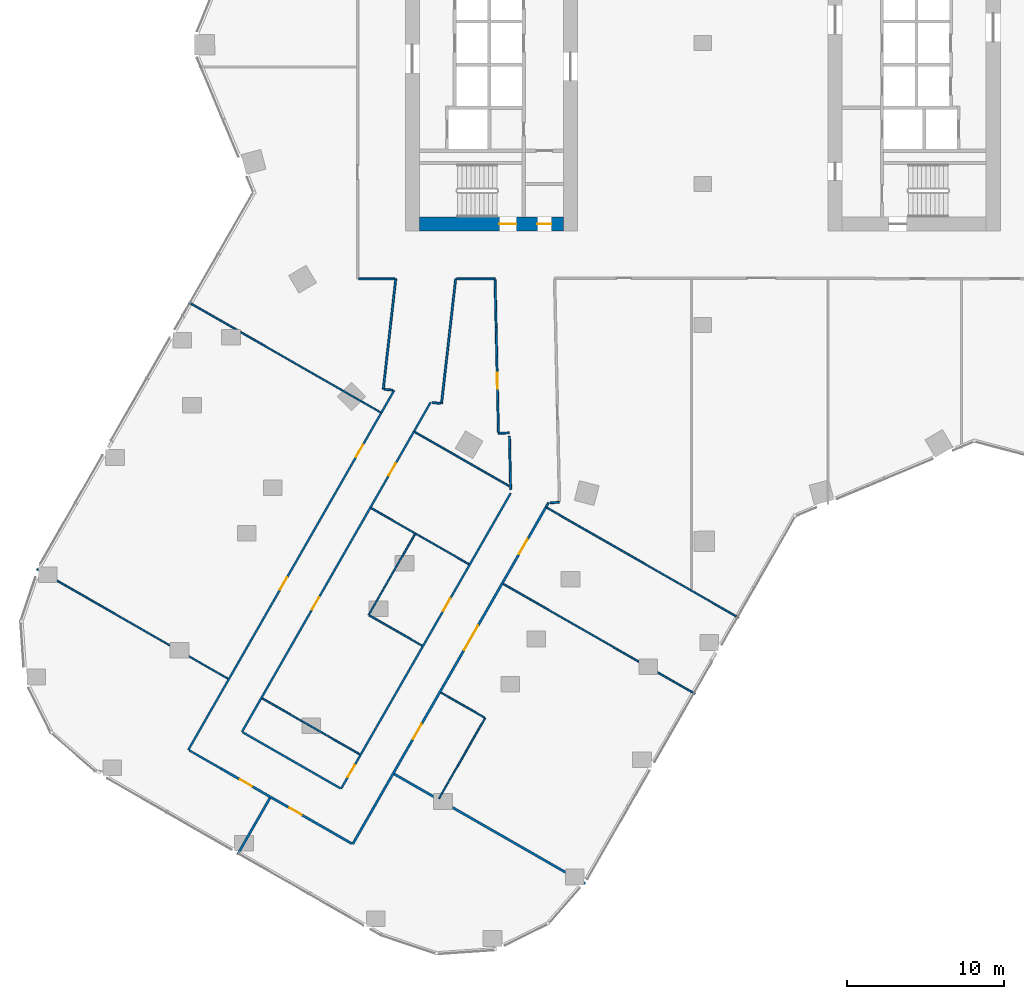
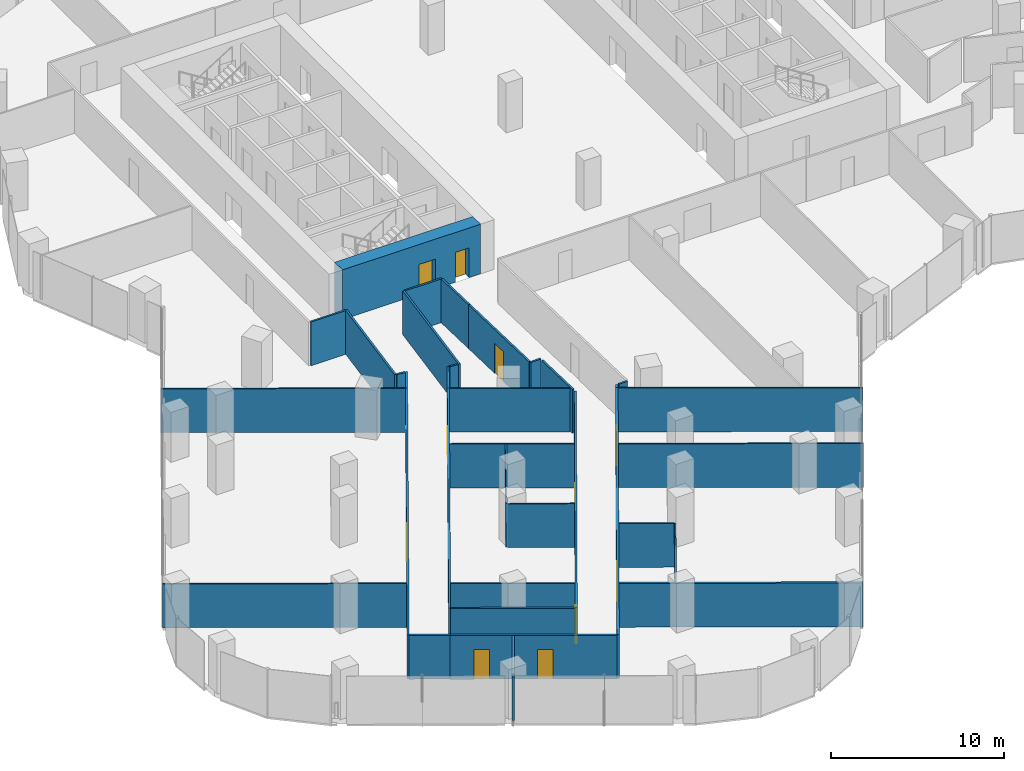
# One storey, part 26 of 34: 35 walls, 14 doors, 14 openings.
"""IFC4 building model written with IfcOpenShell, lengths in metres."""

from ifc_helpers import new_model, si_unit, direction, frame, frame_2d, origin, place, context, subcontext, project, spatial, rectangle, extrude, material, layer, layer_set, type_object, element, fill, save


model = new_model("IFC4")

# Units and contexts
model_context = context("Model", 3, precision=1e-05, world=origin(), true_north=direction((0.0, 1.0)))
body_context = subcontext(model_context, "Body", "Model", "MODEL_VIEW")
ifc_project = project(units=[si_unit("LENGTHUNIT", "METRE"), si_unit("AREAUNIT", "SQUARE_METRE"), si_unit("VOLUMEUNIT", "CUBIC_METRE"), si_unit("PLANEANGLEUNIT", "RADIAN"), si_unit("MASSUNIT", "GRAM", prefix="KILO")], contexts=[model_context])

# Site, building, storey
site_placement = place(None, origin())
site = spatial("IfcSite", under=ifc_project, at=site_placement, CompositionType="ELEMENT")
building_placement = place(site_placement, origin())
building = spatial("IfcBuilding", under=site, at=building_placement, Name="Orlundy Tower", CompositionType="ELEMENT")
storey_placement = place(building_placement, frame((0.0, 0.0, 105.699951171875)))
storey = spatial("IfcBuildingStorey", under=building, at=storey_placement, Name="L26", CompositionType="ELEMENT", Elevation=105.699951171875)

# Wall, openings, doors
ifc_material_1 = material(Name="Concrete C80/95", Category="concrete")
ifc_layer_1 = layer(ifc_material_1, 0.89990234375)
ifc_layer_set_1 = layer_set([ifc_layer_1], Name="CORE WALL 900 C80/95")
wall_type_1 = type_object("IfcWallType", Name="CORE WALL 900 C80/95", PredefinedType="SHEAR", material=ifc_layer_set_1)
wall_1_placement = place(storey_placement, frame((-18.10009765625, -11.550048828125, 0.0), z_axis=(0.0, 0.0, 1.0), x_axis=(1.0, 0.0, 0.0)))
wall_1 = element("IfcWall", 1, at=wall_1_placement, inside=storey, type_object=wall_type_1, Name="Core wall W-S L26", PredefinedType="SHEAR", context=body_context, shape_type="SweptSolid", body=[
    extrude(rectangle(XDim=9.2001953125, YDim=0.89990234375, at=frame_2d((4.60009765625, 0.0))), origin(), (0.0, 0.0, 1.0), 3.5),
])
opening_1_placement = place(wall_1_placement, frame((5.10009765625, 0.0, 0.0)))
opening_1 = element("IfcOpeningElement", 2, at=opening_1_placement, cuts=wall_1, Name="Opening 21013", PredefinedType="OPENING", context=body_context, shape_type="SweptSolid", body=[
    extrude(rectangle(XDim=1.10009765625, YDim=2.10009765625, at=frame_2d((0.550048828125, 1.050048828125))), frame((0.0, 0.4599609375, 0.0), z_axis=(0.0, -1.0, 0.0), x_axis=(1.0, 0.0, 0.0)), (0.0, 0.0, 1.0), 0.919921875),
])
opening_2_placement = place(wall_1_placement, frame((7.530029296875, 0.0, 0.0)))
opening_2 = element("IfcOpeningElement", 3, at=opening_2_placement, cuts=wall_1, Name="Opening 21015", PredefinedType="OPENING", context=body_context, shape_type="SweptSolid", body=[
    extrude(rectangle(XDim=0.89990234375, YDim=2.10009765625, at=frame_2d((0.449951171875, 1.050048828125))), frame((0.0, 0.4599609375, 0.0), z_axis=(0.0, -1.0, 0.0), x_axis=(1.0, 0.0, 0.0)), (0.0, 0.0, 1.0), 0.919921875),
])
ifc_material_2 = material(Name="Timber door set", Category="wood")
door_type_1 = type_object("IfcDoorType", Name="Room Door 900x2100", OperationType="SINGLE_SWING_LEFT", PredefinedType="DOOR", material=ifc_material_2)
door_1_placement = place(opening_2_placement, origin())
door_1 = element("IfcDoor", 4, at=door_1_placement, inside=storey, type_object=door_type_1, Name="Store door 21015", OperationType="SINGLE_SWING_RIGHT", OverallHeight=2.10009765625, OverallWidth=0.89990234375, PredefinedType="DOOR", context=body_context, shape_type="SweptSolid", body=[
    extrude(rectangle(XDim=0.89990234375, YDim=2.10009765625, at=frame_2d((0.449951171875, 1.050048828125))), frame((0.0, 0.02490234375, 0.0), z_axis=(0.0, -1.0, 0.0), x_axis=(1.0, 0.0, 0.0)), (0.0, 0.0, 1.0), 0.050048828125),
])
fill(opening_2, door_1)
ifc_material_3 = material(Name="Steel door set", Category="steel")
door_type_2 = type_object("IfcDoorType", Name="Stair Door 1100x2100", OperationType="SINGLE_SWING_LEFT", PredefinedType="DOOR", material=ifc_material_3)
door_2_placement = place(opening_1_placement, origin())
door_2 = element("IfcDoor", 5, at=door_2_placement, inside=storey, type_object=door_type_2, Name="Stair door 21013", OperationType="SINGLE_SWING_RIGHT", OverallHeight=2.10009765625, OverallWidth=1.10009765625, PredefinedType="DOOR", context=body_context, shape_type="SweptSolid", body=[
    extrude(rectangle(XDim=1.10009765625, YDim=2.10009765625, at=frame_2d((0.550048828125, 1.050048828125))), frame((0.0, 0.02490234375, 0.0), z_axis=(0.0, -1.0, 0.0), x_axis=(1.0, 0.0, 0.0)), (0.0, 0.0, 1.0), 0.050048828125),
])
fill(opening_1, door_2)

# Walls
ifc_material_4 = material(Name="Gypsum board partition")
ifc_layer_2 = layer(ifc_material_4, 0.10009765625)
ifc_layer_set_2 = layer_set([ifc_layer_2], Name="Floor partition 100")
wall_type_2 = type_object("IfcWallType", Name="Floor partition 100", PredefinedType="PARTITIONING", material=ifc_layer_set_2)
wall_2_placement = place(storey_placement, frame((-42.5419921875, -33.5869140625, 0.0), z_axis=(0.0, 0.0, 1.0), x_axis=(0.867466270896, -0.497495998835, 0.0)))
element("IfcWall", 6, at=wall_2_placement, inside=storey, type_object=wall_type_2, Name="wall-int-L26-009", PredefinedType="PARTITIONING", context=body_context, shape_type="SweptSolid", body=[
    extrude(rectangle(XDim=14.078857421875, YDim=0.10009765625, at=frame_2d((7.03955078125, 0.0))), origin(), (0.0, 0.0, 1.0), 3.080078125),
])
wall_3_placement = place(storey_placement, frame((-28.137939453125, -41.847900390625, 0.0), z_axis=(0.0, 0.0, 1.0), x_axis=(0.867478179125, -0.4974752343, 0.0)))
element("IfcWall", 7, at=wall_3_placement, inside=storey, type_object=wall_type_2, Name="wall-int-L26-010", PredefinedType="PARTITIONING", context=body_context, shape_type="SweptSolid", body=[
    extrude(rectangle(XDim=7.17822265625, YDim=0.10009765625, at=frame_2d((3.589111328125, 0.0))), origin(), (0.0, 0.0, 1.0), 3.080078125),
])
wall_4_placement = place(storey_placement, frame((-16.72412109375, -41.47607421875, 0.0), z_axis=(0.0, 0.0, 1.0), x_axis=(0.867553640943, -0.497343623752, 0.0)))
element("IfcWall", 8, at=wall_4_placement, inside=storey, type_object=wall_type_2, Name="wall-int-L26-012", PredefinedType="PARTITIONING", context=body_context, shape_type="SweptSolid", body=[
    extrude(rectangle(XDim=3.20703125, YDim=0.10009765625, at=frame_2d((1.603515625, 0.0))), origin(), (0.0, 0.0, 1.0), 3.080078125),
])
wall_5_placement = place(storey_placement, frame((-21.302001953125, -36.5458984375, 0.0), z_axis=(0.0, 0.0, 1.0), x_axis=(0.867492112241, -0.49745093748, 0.0)))
element("IfcWall", 9, at=wall_5_placement, inside=storey, type_object=wall_type_2, Name="wall-int-L26-013", PredefinedType="PARTITIONING", context=body_context, shape_type="SweptSolid", body=[
    extrude(rectangle(XDim=3.885986328125, YDim=0.10009765625, at=frame_2d((1.94287109375, 0.0))), origin(), (0.0, 0.0, 1.0), 3.080078125),
])
wall_6_placement = place(storey_placement, frame((-21.180908203125, -29.698974609375, 0.0), z_axis=(0.0, 0.0, 1.0), x_axis=(0.867554846835, -0.497341520219, 0.0)))
element("IfcWall", 10, at=wall_6_placement, inside=storey, type_object=wall_type_2, Name="wall-int-L26-014", PredefinedType="PARTITIONING", context=body_context, shape_type="SweptSolid", body=[
    extrude(rectangle(XDim=7.190185546875, YDim=0.10009765625, at=frame_2d((3.59521484375, 0.0))), origin(), (0.0, 0.0, 1.0), 3.080078125),
])
wall_7_placement = place(storey_placement, frame((-12.7451171875, -34.535888671875, 0.0), z_axis=(0.0, 0.0, 1.0), x_axis=(0.867470957273, -0.497487827277, 0.0)))
element("IfcWall", 11, at=wall_7_placement, inside=storey, type_object=wall_type_2, Name="wall-int-L26-015", PredefinedType="PARTITIONING", context=body_context, shape_type="SweptSolid", body=[
    extrude(rectangle(XDim=14.125244140625, YDim=0.10009765625, at=frame_2d((7.0625, 0.0))), origin(), (0.0, 0.0, 1.0), 3.080078125),
])
wall_8_placement = place(storey_placement, frame((-32.8359375, -16.552001953125, 0.0), z_axis=(0.0, 0.0, 1.0), x_axis=(0.867495211783, -0.497445532229, 0.0)))
element("IfcWall", 12, at=wall_8_placement, inside=storey, type_object=wall_type_2, Name="wall-int-L26-016", PredefinedType="PARTITIONING", context=body_context, shape_type="SweptSolid", body=[
    extrude(rectangle(XDim=14.119873046875, YDim=0.10009765625, at=frame_2d((7.06005859375, 0.0))), origin(), (0.0, 0.0, 1.0), 3.080078125),
])
wall_9_placement = place(storey_placement, frame((-18.39501953125, -24.8330078125, 0.0), z_axis=(0.0, 0.0, 1.0), x_axis=(0.86747241126, -0.497485291946, 0.0)))
element("IfcWall", 13, at=wall_9_placement, inside=storey, type_object=wall_type_2, Name="wall-int-L26-017", PredefinedType="PARTITIONING", context=body_context, shape_type="SweptSolid", body=[
    extrude(rectangle(XDim=6.948974609375, YDim=0.10009765625, at=frame_2d((3.474609375, 0.0))), origin(), (0.0, 0.0, 1.0), 3.080078125),
])
wall_10_placement = place(storey_placement, frame((-9.9560546875, -29.672119140625, 0.0), z_axis=(0.0, 0.0, 1.0), x_axis=(0.867495524847, -0.497444986276, 0.0)))
element("IfcWall", 14, at=wall_10_placement, inside=storey, type_object=wall_type_2, Name="wall-int-L26-018", PredefinedType="PARTITIONING", context=body_context, shape_type="SweptSolid", body=[
    extrude(rectangle(XDim=14.1259765625, YDim=0.10009765625, at=frame_2d((7.06298828125, 0.0))), origin(), (0.0, 0.0, 1.0), 3.080078125),
])
wall_11_placement = place(storey_placement, frame((-16.846923828125, -48.236083984375, 0.0), z_axis=(0.0, 0.0, 1.0), x_axis=(0.497509382409, 0.867458595217, 0.0)))
element("IfcWall", 15, at=wall_11_placement, inside=storey, type_object=wall_type_2, Name="wall-int-L26-048", PredefinedType="PARTITIONING", context=body_context, shape_type="SweptSolid", body=[
    extrude(rectangle(XDim=5.925537109375, YDim=0.10009765625, at=frame_2d((2.962890625, 0.0))), origin(), (0.0, 0.0, 1.0), 3.080078125),
])
wall_12_placement = place(storey_placement, frame((-21.344970703125, -36.52099609375, 0.0), z_axis=(0.0, 0.0, 1.0), x_axis=(0.497305055322, 0.867575749978, 0.0)))
element("IfcWall", 16, at=wall_12_placement, inside=storey, type_object=wall_type_2, Name="wall-int-L26-052", PredefinedType="PARTITIONING", context=body_context, shape_type="SweptSolid", body=[
    extrude(rectangle(XDim=5.949951171875, YDim=0.10009765625, at=frame_2d((2.97509765625, 0.0))), origin(), (0.0, 0.0, 1.0), 3.080078125),
])
ifc_material_5 = material(Name="Gypsum board partition, double layer")
ifc_layer_3 = layer(ifc_material_5, 0.125)
ifc_layer_set_3 = layer_set([ifc_layer_3], Name="Floor partition 125")
wall_type_3 = type_object("IfcWallType", Name="Floor partition 125", PredefinedType="PARTITIONING", material=ifc_layer_set_3)
wall_13_placement = place(storey_placement, frame((-13.26806640625, -15.113037109375, 0.0), z_axis=(0.0, 0.0, 1.0), x_axis=(0.02185314429, -0.999761191528, 0.0)))
element("IfcWall", 17, at=wall_13_placement, inside=storey, type_object=wall_type_3, Name="wall-int-L26-001", PredefinedType="PARTITIONING", context=body_context, shape_type="SweptSolid", body=[
    extrude(rectangle(XDim=3.027587890625, YDim=0.125, at=frame_2d((1.513671875, 0.0))), origin(), (0.0, 0.0, 1.0), 3.080078125),
])

# Wall, opening, door
wall_14_placement = place(storey_placement, frame((-13.053955078125, -24.846923828125, 0.0), z_axis=(0.0, 0.0, 1.0), x_axis=(-0.022053458667, 0.999756792906, 0.0)))
wall_14 = element("IfcWall", 18, at=wall_14_placement, inside=storey, type_object=wall_type_3, Name="wall-int-L26-002", PredefinedType="PARTITIONING", context=body_context, shape_type="SweptSolid", body=[
    extrude(rectangle(XDim=6.708740234375, YDim=0.125, at=frame_2d((3.3544921875, 0.0))), origin(), (0.0, 0.0, 1.0), 3.080078125),
])
opening_3_placement = place(wall_14_placement, frame((2.78759765625, 0.0, 0.0)))
opening_3 = element("IfcOpeningElement", 19, at=opening_3_placement, cuts=wall_14, Name="Opening 21120", PredefinedType="OPENING", context=body_context, shape_type="SweptSolid", body=[
    extrude(rectangle(XDim=1.0, YDim=2.10009765625, at=frame_2d((0.5, 1.050048828125))), frame((0.0, 0.072509765625, 0.0), z_axis=(0.0, -1.0, 0.0), x_axis=(1.0, 0.0, 0.0)), (0.0, 0.0, 1.0), 0.14501953125),
])
ifc_material_6 = material(Name="Timber door leaf", Category="wood")
door_type_3 = type_object("IfcDoorType", Name="Floor door wide 1000 FD30S", OperationType="NOTDEFINED", PredefinedType="DOOR", material=ifc_material_6)
door_3_placement = place(opening_3_placement, origin())
door_3 = element("IfcDoor", 20, at=door_3_placement, inside=storey, type_object=door_type_3, Name="Door 21120", OperationType="SINGLE_SWING_LEFT", OverallHeight=2.10009765625, OverallWidth=1.0, PredefinedType="DOOR", context=body_context, shape_type="SweptSolid", body=[
    extrude(rectangle(XDim=1.0, YDim=2.10009765625, at=frame_2d((0.5, 1.050048828125))), frame((0.0, 0.02490234375, 0.0), z_axis=(0.0, -1.0, 0.0), x_axis=(1.0, 0.0, 0.0)), (0.0, 0.0, 1.0), 0.050048828125),
])
fill(opening_3, door_3)

# Walls
wall_15_placement = place(storey_placement, frame((-12.27392578125, -28.507080078125, 0.0), z_axis=(0.0, 0.0, 1.0), x_axis=(-0.022051353947, 0.999756839331, 0.0)))
element("IfcWall", 21, at=wall_15_placement, inside=storey, type_object=wall_type_3, Name="wall-int-L26-003", PredefinedType="PARTITIONING", context=body_context, shape_type="SweptSolid", body=[
    extrude(rectangle(XDim=3.409912109375, YDim=0.125, at=frame_2d((1.705078125, 0.0))), origin(), (0.0, 0.0, 1.0), 3.080078125),
])
wall_16_placement = place(storey_placement, frame((-32.804931640625, -45.1669921875, 0.0), z_axis=(0.0, 0.0, 1.0), x_axis=(0.867850650995, -0.496825168009, 0.0)))
element("IfcWall", 22, at=wall_16_placement, inside=storey, type_object=wall_type_3, Name="wall-int-L26-006", PredefinedType="PARTITIONING", context=body_context, shape_type="SweptSolid", body=[
    extrude(rectangle(XDim=2.336669921875, YDim=0.125, at=frame_2d((1.16845703125, 0.0))), origin(), (0.0, 0.0, 1.0), 3.080078125),
])
wall_17_placement = place(storey_placement, frame((-29.3798828125, -44.01708984375, 0.0), z_axis=(0.0, 0.0, 1.0), x_axis=(0.867475811481, -0.497479362885, 0.0)))
element("IfcWall", 23, at=wall_17_placement, inside=storey, type_object=wall_type_3, Name="wall-int-L26-008", PredefinedType="PARTITIONING", context=body_context, shape_type="SweptSolid", body=[
    extrude(rectangle(XDim=7.17578125, YDim=0.125, at=frame_2d((3.587890625, 0.0))), origin(), (0.0, 0.0, 1.0), 3.080078125),
])
for number, where, z_axis, x_axis, name in (
    (24, (-17.287109375, -22.948974609375, 0.0), (0.0, 0.0, 1.0), (0.993828621155, -0.110926425047, 0.0), "wall-int-L26-026"),
    (25, (-20.344970703125, -22.10400390625, 0.0), (0.0, 0.0, 1.0), (0.993828621155, -0.110926425047, 0.0), "wall-int-L26-027"),
):
    element("IfcWall", number, at=place(storey_placement, frame(where, z_axis=z_axis, x_axis=x_axis)), inside=storey, type_object=wall_type_3, Name=name, PredefinedType="PARTITIONING", context=body_context, shape_type="SweptSolid", body=[
        extrude(rectangle(XDim=0.54150390625, YDim=0.125, at=frame_2d((0.270751953125, 0.0))), origin(), (0.0, 0.0, 1.0), 3.080078125),
    ])
wall_18_placement = place(storey_placement, frame((-21.988037109375, -15.051025390625, 0.0), z_axis=(0.0, 0.0, 1.0), x_axis=(1.0, 0.0, 0.0)))
element("IfcWall", 26, at=wall_18_placement, inside=storey, type_object=wall_type_3, Name="wall-int-L26-031", PredefinedType="PARTITIONING", context=body_context, shape_type="SweptSolid", body=[
    extrude(rectangle(XDim=2.31591796875, YDim=0.125, at=frame_2d((1.157958984375, 0.0))), origin(), (0.0, 0.0, 1.0), 3.080078125),
])
wall_19_placement = place(storey_placement, frame((-15.722900390625, -15.051025390625, 0.0), z_axis=(0.0, 0.0, 1.0), x_axis=(1.0, 0.0, 0.0)))
element("IfcWall", 27, at=wall_19_placement, inside=storey, type_object=wall_type_3, Name="wall-int-L26-032", PredefinedType="PARTITIONING", context=body_context, shape_type="SweptSolid", body=[
    extrude(rectangle(XDim=2.453857421875, YDim=0.125, at=frame_2d((1.22705078125, 0.0))), origin(), (0.0, 0.0, 1.0), 3.080078125),
])
wall_20_placement = place(storey_placement, frame((-9.743896484375, -29.343994140625, 0.0), z_axis=(0.0, 0.0, 1.0), x_axis=(0.999758670784, 0.021968163164, 0.0)))
element("IfcWall", 28, at=wall_20_placement, inside=storey, type_object=wall_type_3, Name="wall-int-L26-041", PredefinedType="PARTITIONING", context=body_context, shape_type="SweptSolid", body=[
    extrude(rectangle(XDim=0.589111328125, YDim=0.125, at=frame_2d((0.29443359375, 0.0))), origin(), (0.0, 0.0, 1.0), 3.080078125),
])
wall_21_placement = place(storey_placement, frame((-13.052978515625, -24.909912109375, 0.0), z_axis=(0.0, 0.0, 1.0), x_axis=(0.999743094177, 0.022665957838, 0.0)))
element("IfcWall", 29, at=wall_21_placement, inside=storey, type_object=wall_type_3, Name="wall-int-L26-042", PredefinedType="PARTITIONING", context=body_context, shape_type="SweptSolid", body=[
    extrude(rectangle(XDim=0.7001953125, YDim=0.125, at=frame_2d((0.35009765625, 0.0))), origin(), (0.0, 0.0, 1.0), 3.080078125),
])
wall_22_placement = place(storey_placement, frame((-19.7119140625, -22.175048828125, 0.0), z_axis=(0.0, 0.0, 1.0), x_axis=(-0.497428639805, -0.867504898143, 0.0)))
element("IfcWall", 30, at=wall_22_placement, inside=storey, type_object=wall_type_3, Name="wall-int-L26-045", PredefinedType="PARTITIONING", context=body_context, shape_type="SweptSolid", body=[
    extrude(rectangle(XDim=1.650634765625, YDim=0.125, at=frame_2d((0.8251953125, 0.0))), origin(), (0.0, 0.0, 1.0), 3.080078125),
])
wall_23_placement = place(storey_placement, frame((-10.02099609375, -29.635009765625, 0.0), z_axis=(0.0, 0.0, 1.0), x_axis=(0.498030726652, 0.867159382876, 0.0)))
element("IfcWall", 31, at=wall_23_placement, inside=storey, type_object=wall_type_3, Name="wall-int-L26-047", PredefinedType="PARTITIONING", context=body_context, shape_type="SweptSolid", body=[
    extrude(rectangle(XDim=0.333251953125, YDim=0.125, at=frame_2d((0.16650390625, 0.0))), origin(), (0.0, 0.0, 1.0), 3.080078125),
])

# Wall, openings, doors
wall_24_placement = place(storey_placement, frame((-23.10107421875, -47.617919921875, 0.0), z_axis=(0.0, 0.0, 1.0), x_axis=(0.497706797126, 0.867345343041, 0.0)))
wall_24 = element("IfcWall", 32, at=wall_24_placement, inside=storey, type_object=wall_type_3, Name="wall-int-L26-050", PredefinedType="PARTITIONING", context=body_context, shape_type="SweptSolid", body=[
    extrude(rectangle(XDim=21.772216796875, YDim=0.125, at=frame_2d((10.88623046875, 0.0))), origin(), (0.0, 0.0, 1.0), 3.080078125),
])
opening_4_placement = place(wall_24_placement, frame((0.85009765625, 0.0, 0.0)))
opening_4 = element("IfcOpeningElement", 33, at=opening_4_placement, cuts=wall_24, Name="Opening 21114", PredefinedType="OPENING", context=body_context, shape_type="SweptSolid", body=[
    extrude(rectangle(XDim=0.89990234375, YDim=2.10009765625, at=frame_2d((0.449951171875, 1.050048828125))), frame((0.0, 0.072509765625, 0.0), z_axis=(0.0, -1.0, 0.0), x_axis=(1.0, 0.0, 0.0)), (0.0, 0.0, 1.0), 0.14501953125),
])
opening_5_placement = place(wall_24_placement, frame((13.10009765625, 0.0, 0.0)))
opening_5 = element("IfcOpeningElement", 34, at=opening_5_placement, cuts=wall_24, Name="Opening 21134", PredefinedType="OPENING", context=body_context, shape_type="SweptSolid", body=[
    extrude(rectangle(XDim=0.89990234375, YDim=2.10009765625, at=frame_2d((0.449951171875, 1.050048828125))), frame((0.0, 0.072509765625, 0.0), z_axis=(0.0, -1.0, 0.0), x_axis=(1.0, 0.0, 0.0)), (0.0, 0.0, 1.0), 0.14501953125),
])
ifc_material_7 = material(Name="Timber door leaf", Category="wood")
door_type_4 = type_object("IfcDoorType", Name="Floor door single 900 FD30S", OperationType="NOTDEFINED", PredefinedType="DOOR", material=ifc_material_7)
door_4_placement = place(opening_4_placement, origin())
door_4 = element("IfcDoor", 35, at=door_4_placement, inside=storey, type_object=door_type_4, Name="Door 21114", OperationType="SINGLE_SWING_LEFT", OverallHeight=2.10009765625, OverallWidth=0.89990234375, PredefinedType="DOOR", context=body_context, shape_type="SweptSolid", body=[
    extrude(rectangle(XDim=0.89990234375, YDim=2.10009765625, at=frame_2d((0.449951171875, 1.050048828125))), frame((0.0, 0.02490234375, 0.0), z_axis=(0.0, -1.0, 0.0), x_axis=(1.0, 0.0, 0.0)), (0.0, 0.0, 1.0), 0.050048828125),
])
fill(opening_4, door_4)
door_5_placement = place(opening_5_placement, origin())
door_5 = element("IfcDoor", 36, at=door_5_placement, inside=storey, type_object=door_type_4, Name="Door 21134", OperationType="SINGLE_SWING_RIGHT", OverallHeight=2.10009765625, OverallWidth=0.89990234375, PredefinedType="DOOR", context=body_context, shape_type="SweptSolid", body=[
    extrude(rectangle(XDim=0.89990234375, YDim=2.10009765625, at=frame_2d((0.449951171875, 1.050048828125))), frame((0.0, 0.02490234375, 0.0), z_axis=(0.0, -1.0, 0.0), x_axis=(1.0, 0.0, 0.0)), (0.0, 0.0, 1.0), 0.050048828125),
])
fill(opening_5, door_5)

wall_25_placement = place(storey_placement, frame((-18.448974609375, -24.802001953125, 0.0), z_axis=(0.0, 0.0, 1.0), x_axis=(-0.496915373234, -0.867799004288, 0.0)))
wall_25 = element("IfcWall", 37, at=wall_25_placement, inside=storey, type_object=wall_type_3, Name="wall-int-L26-053", PredefinedType="PARTITIONING", context=body_context, shape_type="SweptSolid", body=[
    extrude(rectangle(XDim=22.106689453125, YDim=0.125, at=frame_2d((11.05322265625, 0.0))), origin(), (0.0, 0.0, 1.0), 3.080078125),
])
opening_6_placement = place(wall_25_placement, frame((2.35009765625, 0.0, 0.0)))
opening_6 = element("IfcOpeningElement", 38, at=opening_6_placement, cuts=wall_25, Name="Opening 21112", PredefinedType="OPENING", context=body_context, shape_type="SweptSolid", body=[
    extrude(rectangle(XDim=0.89990234375, YDim=2.10009765625, at=frame_2d((0.449951171875, 1.050048828125))), frame((0.0, 0.072509765625, 0.0), z_axis=(0.0, -1.0, 0.0), x_axis=(1.0, 0.0, 0.0)), (0.0, 0.0, 1.0), 0.14501953125),
])
opening_7_placement = place(wall_25_placement, frame((12.207275390625, 0.0, 0.0)))
opening_7 = element("IfcOpeningElement", 39, at=opening_7_placement, cuts=wall_25, Name="Opening 21113", PredefinedType="OPENING", context=body_context, shape_type="SweptSolid", body=[
    extrude(rectangle(XDim=0.89990234375, YDim=2.10009765625, at=frame_2d((0.449951171875, 1.050048828125))), frame((0.0, 0.072509765625, 0.0), z_axis=(0.0, -1.0, 0.0), x_axis=(1.0, 0.0, 0.0)), (0.0, 0.0, 1.0), 0.14501953125),
])
door_6_placement = place(opening_6_placement, origin())
door_6 = element("IfcDoor", 40, at=door_6_placement, inside=storey, type_object=door_type_4, Name="Door 21112", OperationType="SINGLE_SWING_LEFT", OverallHeight=2.10009765625, OverallWidth=0.89990234375, PredefinedType="DOOR", context=body_context, shape_type="SweptSolid", body=[
    extrude(rectangle(XDim=0.89990234375, YDim=2.10009765625, at=frame_2d((0.449951171875, 1.050048828125))), frame((0.0, 0.02490234375, 0.0), z_axis=(0.0, -1.0, 0.0), x_axis=(1.0, 0.0, 0.0)), (0.0, 0.0, 1.0), 0.050048828125),
])
fill(opening_6, door_6)
door_7_placement = place(opening_7_placement, origin())
door_7 = element("IfcDoor", 41, at=door_7_placement, inside=storey, type_object=door_type_4, Name="Door 21113", OperationType="SINGLE_SWING_RIGHT", OverallHeight=2.10009765625, OverallWidth=0.89990234375, PredefinedType="DOOR", context=body_context, shape_type="SweptSolid", body=[
    extrude(rectangle(XDim=0.89990234375, YDim=2.10009765625, at=frame_2d((0.449951171875, 1.050048828125))), frame((0.0, 0.02490234375, 0.0), z_axis=(0.0, -1.0, 0.0), x_axis=(1.0, 0.0, 0.0)), (0.0, 0.0, 1.0), 0.050048828125),
])
fill(opening_7, door_7)

# Wall
wall_26_placement = place(storey_placement, frame((-18.448974609375, -24.802001953125, 0.0), z_axis=(0.0, 0.0, 1.0), x_axis=(0.49675090032, 0.867893163374, 0.0)))
element("IfcWall", 42, at=wall_26_placement, inside=storey, type_object=wall_type_3, Name="wall-int-L26-054", PredefinedType="PARTITIONING", context=body_context, shape_type="SweptSolid", body=[
    extrude(rectangle(XDim=2.147705078125, YDim=0.125, at=frame_2d((1.07373046875, 0.0))), origin(), (0.0, 0.0, 1.0), 3.080078125),
])

# Wall, openings, doors
wall_27_placement = place(storey_placement, frame((-32.85888671875, -45.135986328125, 0.0), z_axis=(0.0, 0.0, 1.0), x_axis=(0.496796975504, 0.867866789969, 0.0)))
wall_27 = element("IfcWall", 43, at=wall_27_placement, inside=storey, type_object=wall_type_3, Name="wall-int-L26-055", PredefinedType="PARTITIONING", context=body_context, shape_type="SweptSolid", body=[
    extrude(rectangle(XDim=24.806884765625, YDim=0.125, at=frame_2d((12.4033203125, 0.0))), origin(), (0.0, 0.0, 1.0), 3.080078125),
])
opening_8_placement = place(wall_27_placement, frame((11.80126953125, 0.0, 0.0)))
opening_8 = element("IfcOpeningElement", 44, at=opening_8_placement, cuts=wall_27, Name="Opening 21117", PredefinedType="OPENING", context=body_context, shape_type="SweptSolid", body=[
    extrude(rectangle(XDim=0.89990234375, YDim=2.10009765625, at=frame_2d((0.449951171875, 1.050048828125))), frame((0.0, 0.072509765625, 0.0), z_axis=(0.0, -1.0, 0.0), x_axis=(1.0, 0.0, 0.0)), (0.0, 0.0, 1.0), 0.14501953125),
])
opening_9_placement = place(wall_27_placement, frame((21.55078125, 0.0, 0.0)))
opening_9 = element("IfcOpeningElement", 45, at=opening_9_placement, cuts=wall_27, Name="Opening 21118", PredefinedType="OPENING", context=body_context, shape_type="SweptSolid", body=[
    extrude(rectangle(XDim=0.89990234375, YDim=2.10009765625, at=frame_2d((0.449951171875, 1.050048828125))), frame((0.0, 0.072509765625, 0.0), z_axis=(0.0, -1.0, 0.0), x_axis=(1.0, 0.0, 0.0)), (0.0, 0.0, 1.0), 0.14501953125),
])
door_8_placement = place(opening_8_placement, origin())
door_8 = element("IfcDoor", 46, at=door_8_placement, inside=storey, type_object=door_type_4, Name="Door 21117", OperationType="SINGLE_SWING_LEFT", OverallHeight=2.10009765625, OverallWidth=0.89990234375, PredefinedType="DOOR", context=body_context, shape_type="SweptSolid", body=[
    extrude(rectangle(XDim=0.89990234375, YDim=2.10009765625, at=frame_2d((0.449951171875, 1.050048828125))), frame((0.0, 0.02490234375, 0.0), z_axis=(0.0, -1.0, 0.0), x_axis=(1.0, 0.0, 0.0)), (0.0, 0.0, 1.0), 0.050048828125),
])
fill(opening_8, door_8)
door_9_placement = place(opening_9_placement, origin())
door_9 = element("IfcDoor", 47, at=door_9_placement, inside=storey, type_object=door_type_4, Name="Door 21118", OperationType="SINGLE_SWING_RIGHT", OverallHeight=2.10009765625, OverallWidth=0.89990234375, PredefinedType="DOOR", context=body_context, shape_type="SweptSolid", body=[
    extrude(rectangle(XDim=0.89990234375, YDim=2.10009765625, at=frame_2d((0.449951171875, 1.050048828125))), frame((0.0, 0.02490234375, 0.0), z_axis=(0.0, -1.0, 0.0), x_axis=(1.0, 0.0, 0.0)), (0.0, 0.0, 1.0), 0.050048828125),
])
fill(opening_9, door_9)

# Walls
wall_28_placement = place(storey_placement, frame((-16.68603515625, -23.01611328125, 0.0), z_axis=(0.0, 0.0, 1.0), x_axis=(0.112430566881, 0.993659583374, 0.0)))
element("IfcWall", 48, at=wall_28_placement, inside=storey, type_object=wall_type_3, Name="wall-int-L26-069", PredefinedType="PARTITIONING", context=body_context, shape_type="SweptSolid", body=[
    extrude(rectangle(XDim=8.014892578125, YDim=0.125, at=frame_2d((4.00732421875, 0.0))), origin(), (0.0, 0.0, 1.0), 3.080078125),
])
wall_29_placement = place(storey_placement, frame((-20.407958984375, -22.095947265625, 0.0), z_axis=(0.0, 0.0, 1.0), x_axis=(0.112548040262, 0.993646284466, 0.0)))
element("IfcWall", 49, at=wall_29_placement, inside=storey, type_object=wall_type_3, Name="wall-int-L26-070", PredefinedType="PARTITIONING", context=body_context, shape_type="SweptSolid", body=[
    extrude(rectangle(XDim=7.0888671875, YDim=0.125, at=frame_2d((3.54443359375, 0.0))), origin(), (0.0, 0.0, 1.0), 3.080078125),
])

# Wall, openings, doors
ifc_material_8 = material(Name="Blockwork shaft wall", Category="masonry")
ifc_layer_4 = layer(ifc_material_8, 0.14990234375)
ifc_layer_set_4 = layer_set([ifc_layer_4], Name="Floor shaft wall 150")
wall_type_4 = type_object("IfcWallType", Name="Floor shaft wall 150", PredefinedType="PARTITIONING", material=ifc_layer_set_4)
wall_30_placement = place(storey_placement, frame((-22.424072265625, -51.118896484375, 0.0), z_axis=(0.0, 0.0, 1.0), x_axis=(-0.867497896771, 0.497440849849, 0.0)))
wall_30 = element("IfcWall", 50, at=wall_30_placement, inside=storey, type_object=wall_type_4, Name="wall-int-L26-007", PredefinedType="PARTITIONING", context=body_context, shape_type="SweptSolid", body=[
    extrude(rectangle(XDim=9.62890625, YDim=0.14990234375, at=frame_2d((4.814453125, 0.0))), origin(), (0.0, 0.0, 1.0), 3.080078125),
])
opening_10_placement = place(wall_30_placement, frame((3.67822265625, 0.0, 0.0)))
opening_10 = element("IfcOpeningElement", 51, at=opening_10_placement, cuts=wall_30, Name="Opening 21115", PredefinedType="OPENING", context=body_context, shape_type="SweptSolid", body=[
    extrude(rectangle(XDim=0.89990234375, YDim=2.10009765625, at=frame_2d((0.449951171875, 1.050048828125))), frame((0.0, 0.0849609375, 0.0), z_axis=(0.0, -1.0, 0.0), x_axis=(1.0, 0.0, 0.0)), (0.0, 0.0, 1.0), 0.169921875),
])
opening_11_placement = place(wall_30_placement, frame((7.327880859375, 0.0, 0.0)))
opening_11 = element("IfcOpeningElement", 52, at=opening_11_placement, cuts=wall_30, Name="Opening 21116", PredefinedType="OPENING", context=body_context, shape_type="SweptSolid", body=[
    extrude(rectangle(XDim=0.89990234375, YDim=2.10009765625, at=frame_2d((0.449951171875, 1.050048828125))), frame((0.0, 0.0849609375, 0.0), z_axis=(0.0, -1.0, 0.0), x_axis=(1.0, 0.0, 0.0)), (0.0, 0.0, 1.0), 0.169921875),
])
ifc_material_9 = material(Name="Timber door leaf", Category="wood")
door_type_5 = type_object("IfcDoorType", Name="Floor door single 900 FD60", OperationType="NOTDEFINED", PredefinedType="DOOR", material=ifc_material_9)
door_10_placement = place(opening_10_placement, origin())
door_10 = element("IfcDoor", 53, at=door_10_placement, inside=storey, type_object=door_type_5, Name="Door 21115", OperationType="SINGLE_SWING_LEFT", OverallHeight=2.10009765625, OverallWidth=0.89990234375, PredefinedType="DOOR", context=body_context, shape_type="SweptSolid", body=[
    extrude(rectangle(XDim=0.89990234375, YDim=2.10009765625, at=frame_2d((0.449951171875, 1.050048828125))), frame((0.0, 0.02490234375, 0.0), z_axis=(0.0, -1.0, 0.0), x_axis=(1.0, 0.0, 0.0)), (0.0, 0.0, 1.0), 0.050048828125),
])
fill(opening_10, door_10)
door_11_placement = place(opening_11_placement, origin())
door_11 = element("IfcDoor", 54, at=door_11_placement, inside=storey, type_object=door_type_5, Name="Door 21116", OperationType="SINGLE_SWING_RIGHT", OverallHeight=2.10009765625, OverallWidth=0.89990234375, PredefinedType="DOOR", context=body_context, shape_type="SweptSolid", body=[
    extrude(rectangle(XDim=0.89990234375, YDim=2.10009765625, at=frame_2d((0.449951171875, 1.050048828125))), frame((0.0, 0.02490234375, 0.0), z_axis=(0.0, -1.0, 0.0), x_axis=(1.0, 0.0, 0.0)), (0.0, 0.0, 1.0), 0.050048828125),
])
fill(opening_11, door_11)

# Wall
wall_31_placement = place(storey_placement, frame((-19.708984375, -46.680908203125, 0.0), z_axis=(0.0, 0.0, 1.0), x_axis=(0.867456145265, -0.497513654126, 0.0)))
element("IfcWall", 55, at=wall_31_placement, inside=storey, type_object=wall_type_4, Name="wall-int-L26-011", PredefinedType="PARTITIONING", context=body_context, shape_type="SweptSolid", body=[
    extrude(rectangle(XDim=14.070068359375, YDim=0.14990234375, at=frame_2d((7.03515625, 0.0))), origin(), (0.0, 0.0, 1.0), 3.080078125),
])

# Wall, openings, doors
wall_32_placement = place(storey_placement, frame((-10.02001953125, -29.635986328125, 0.0), z_axis=(0.0, 0.0, 1.0), x_axis=(-0.49748968286, -0.867469893107, 0.0)))
wall_32 = element("IfcWall", 56, at=wall_32_placement, inside=storey, type_object=wall_type_4, Name="wall-int-L26-049", PredefinedType="PARTITIONING", context=body_context, shape_type="SweptSolid", body=[
    extrude(rectangle(XDim=24.806640625, YDim=0.14990234375, at=frame_2d((12.4033203125, 0.0))), origin(), (0.0, 0.0, 1.0), 3.080078125),
])
opening_12_placement = place(wall_32_placement, frame((2.349609375, 0.0, 0.0)))
opening_12 = element("IfcOpeningElement", 57, at=opening_12_placement, cuts=wall_32, Name="Opening 21110", PredefinedType="OPENING", context=body_context, shape_type="SweptSolid", body=[
    extrude(rectangle(XDim=1.10009765625, YDim=2.10009765625, at=frame_2d((0.550048828125, 1.050048828125))), frame((0.0, 0.0849609375, 0.0), z_axis=(0.0, -1.0, 0.0), x_axis=(1.0, 0.0, 0.0)), (0.0, 0.0, 1.0), 0.169921875),
])
opening_13_placement = place(wall_32_placement, frame((8.70654296875, 0.0, 0.0)))
opening_13 = element("IfcOpeningElement", 58, at=opening_13_placement, cuts=wall_32, Name="Opening 21111", PredefinedType="OPENING", context=body_context, shape_type="SweptSolid", body=[
    extrude(rectangle(XDim=1.800048828125, YDim=2.10009765625, at=frame_2d((0.89990234375, 1.050048828125))), frame((0.0, 0.0849609375, 0.0), z_axis=(0.0, -1.0, 0.0), x_axis=(1.0, 0.0, 0.0)), (0.0, 0.0, 1.0), 0.169921875),
])
opening_14_placement = place(wall_32_placement, frame((15.95654296875, 0.0, 0.0)))
opening_14 = element("IfcOpeningElement", 59, at=opening_14_placement, cuts=wall_32, Name="Opening 21135", PredefinedType="OPENING", context=body_context, shape_type="SweptSolid", body=[
    extrude(rectangle(XDim=1.10009765625, YDim=2.10009765625, at=frame_2d((0.550048828125, 1.050048828125))), frame((0.0, 0.0849609375, 0.0), z_axis=(0.0, -1.0, 0.0), x_axis=(1.0, 0.0, 0.0)), (0.0, 0.0, 1.0), 0.169921875),
])
ifc_material_10 = material(Name="Timber door leaf", Category="wood")
door_type_6 = type_object("IfcDoorType", Name="Floor door double 1800 FD60", OperationType="NOTDEFINED", PredefinedType="DOOR", material=ifc_material_10)
door_12_placement = place(opening_13_placement, origin())
door_12 = element("IfcDoor", 60, at=door_12_placement, inside=storey, type_object=door_type_6, Name="Door 21111", OperationType="DOUBLE_DOOR_SINGLE_SWING", OverallHeight=2.10009765625, OverallWidth=1.800048828125, PredefinedType="DOOR", context=body_context, shape_type="SweptSolid", body=[
    extrude(rectangle(XDim=1.800048828125, YDim=2.10009765625, at=frame_2d((0.89990234375, 1.050048828125))), frame((0.0, 0.02490234375, 0.0), z_axis=(0.0, -1.0, 0.0), x_axis=(1.0, 0.0, 0.0)), (0.0, 0.0, 1.0), 0.050048828125),
])
fill(opening_13, door_12)
ifc_material_11 = material(Name="Timber door leaf", Category="wood")
door_type_7 = type_object("IfcDoorType", Name="Floor door xwide 1100 FD60", OperationType="NOTDEFINED", PredefinedType="DOOR", material=ifc_material_11)
door_13_placement = place(opening_12_placement, origin())
door_13 = element("IfcDoor", 61, at=door_13_placement, inside=storey, type_object=door_type_7, Name="Door 21110", OperationType="SINGLE_SWING_LEFT", OverallHeight=2.10009765625, OverallWidth=1.10009765625, PredefinedType="DOOR", context=body_context, shape_type="SweptSolid", body=[
    extrude(rectangle(XDim=1.10009765625, YDim=2.10009765625, at=frame_2d((0.550048828125, 1.050048828125))), frame((0.0, 0.02490234375, 0.0), z_axis=(0.0, -1.0, 0.0), x_axis=(1.0, 0.0, 0.0)), (0.0, 0.0, 1.0), 0.050048828125),
])
fill(opening_12, door_13)
door_14_placement = place(opening_14_placement, origin())
door_14 = element("IfcDoor", 62, at=door_14_placement, inside=storey, type_object=door_type_7, Name="Door 21135", OperationType="SINGLE_SWING_RIGHT", OverallHeight=2.10009765625, OverallWidth=1.10009765625, PredefinedType="DOOR", context=body_context, shape_type="SweptSolid", body=[
    extrude(rectangle(XDim=1.10009765625, YDim=2.10009765625, at=frame_2d((0.550048828125, 1.050048828125))), frame((0.0, 0.02490234375, 0.0), z_axis=(0.0, -1.0, 0.0), x_axis=(1.0, 0.0, 0.0)), (0.0, 0.0, 1.0), 0.050048828125),
])
fill(opening_14, door_14)

# Wall
wall_33_placement = place(storey_placement, frame((-29.72412109375, -51.8310546875, 0.0), z_axis=(0.0, 0.0, 1.0), x_axis=(0.49757424492, 0.867421391708, 0.0)))
element("IfcWall", 63, at=wall_33_placement, inside=storey, type_object=wall_type_4, Name="wall-int-L26-051", PredefinedType="PARTITIONING", context=body_context, shape_type="SweptSolid", body=[
    extrude(rectangle(XDim=4.174560546875, YDim=0.14990234375, at=frame_2d((2.08740234375, 0.0))), origin(), (0.0, 0.0, 1.0), 3.080078125),
])

save(model, "model.ifc")
